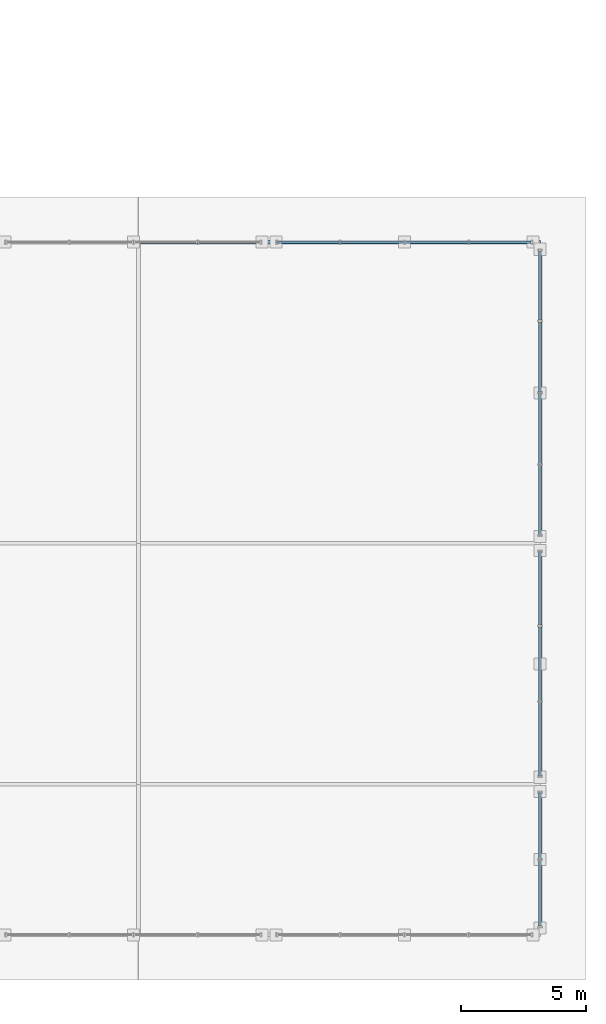
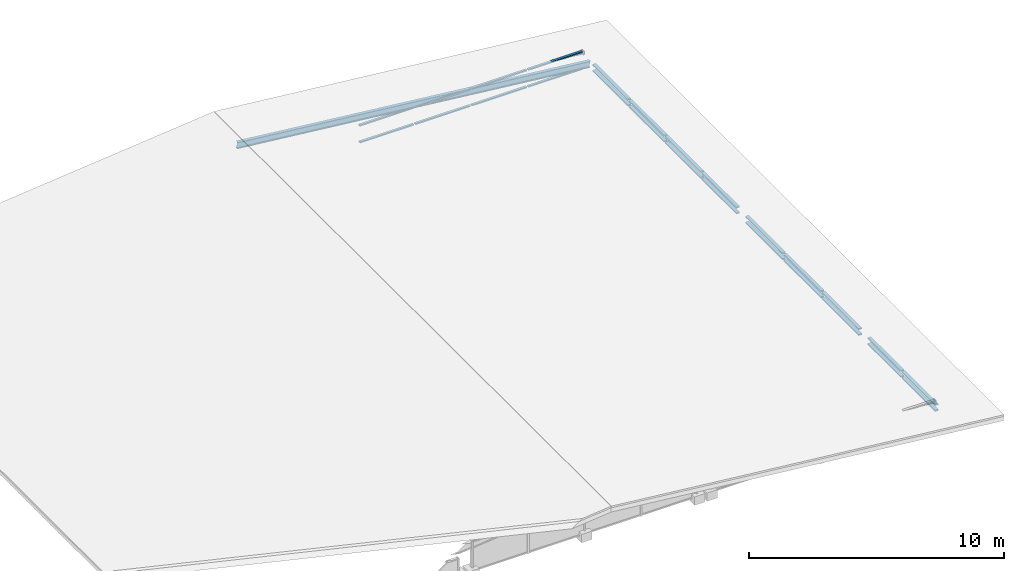
# One storey, part 49 of 117: 27 members, 4 elements without a shape of their own.
"""IFC4 building model written with IfcOpenShell, lengths in metres."""

from ifc_helpers import new_model, si_unit, direction, frame, origin, origin_2d, place, context, subcontext, project, spatial, hollow_rectangle, i_section, extrude, material, material_profile, profile_set, type_object, element, aggregate, save


model = new_model("IFC4")

# Units and contexts
model_context = context("Model", 3, precision=1e-05, world=origin(), true_north=direction((0.0, 1.0)))
body_context = subcontext(model_context, "Body", "Model", "MODEL_VIEW")
ifc_project = project(units=[si_unit("LENGTHUNIT", "METRE"), si_unit("AREAUNIT", "SQUARE_METRE"), si_unit("VOLUMEUNIT", "CUBIC_METRE"), si_unit("PLANEANGLEUNIT", "RADIAN"), si_unit("MASSUNIT", "GRAM", prefix="KILO")], contexts=[model_context])

# Site, building, storey
site_placement = place(None, origin())
site = spatial("IfcSite", under=ifc_project, at=site_placement, CompositionType="ELEMENT")
building_placement = place(site_placement, origin())
building = spatial("IfcBuilding", under=site, at=building_placement, Name="Merenkruunu Market Hall", CompositionType="ELEMENT")
storey_placement = place(building_placement, frame((0.0, 0.0, 22.800048828125)))
storey = spatial("IfcBuildingStorey", under=building, at=storey_placement, Name="RF", CompositionType="ELEMENT", Elevation=22.800048828125)

# Curtain wall, members
ifc_material_1 = material(Name="Powder-coated aluminium", Category="aluminium")
curtain_wall_type_1 = type_object("IfcCurtainWallType", Name="Clerestory Curtain Band CL03", PredefinedType="USERDEFINED", material=ifc_material_1)
curtain_wall_1_placement = place(storey_placement, origin())
curtain_wall_1 = element("IfcCurtainWall", 1, at=curtain_wall_1_placement, inside=storey, type_object=curtain_wall_type_1, Name="CW-RF-CWM04-247", ObjectType="CLERESTORY_BAND", PredefinedType="USERDEFINED")
ifc_material_profile_1 = material_profile(ifc_material_1, hollow_rectangle(XDim=0.06005859375, YDim=0.110107421875, WallThickness=0.00390625, at=origin_2d()), Name="ALU 60x110x4")
ifc_profile_set_1 = profile_set([ifc_material_profile_1], Name="Powder-coated aluminium")
member_type_1 = type_object("IfcMemberType", Name="Curtain Wall Transom CWT03", PredefinedType="USERDEFINED", material=ifc_profile_set_1)
member_1_placement = place(storey_placement, frame((181.550048828125, 27.60009765625, -1.68994140625), z_axis=(1.0, 0.0, 0.0), x_axis=(0.0, 0.0, 1.0)))
member_1 = element("IfcMember", 2, at=member_1_placement, type_object=member_type_1, Name="CL03 transom 1.1", ObjectType="TRANSOM", PredefinedType="USERDEFINED", context=body_context, shape_type="SweptSolid", body=[
    extrude(hollow_rectangle(XDim=0.06005859375, YDim=0.110107421875, WallThickness=0.00390625, at=origin_2d()), origin(), (0.0, 0.0, 1.0), 2.454833984375),
])
member_2_placement = place(storey_placement, frame((181.550048828125, 27.60009765625, -0.880126953125), z_axis=(1.0, 0.0, 0.0), x_axis=(0.0, 0.0, 1.0)))
member_2 = element("IfcMember", 3, at=member_2_placement, type_object=member_type_1, Name="CL03 transom 1.2", ObjectType="TRANSOM", PredefinedType="USERDEFINED", context=body_context, shape_type="SweptSolid", body=[
    extrude(hollow_rectangle(XDim=0.06005859375, YDim=0.110107421875, WallThickness=0.00390625, at=origin_2d()), origin(), (0.0, 0.0, 1.0), 2.454833984375),
])
member_3_placement = place(storey_placement, frame((184.074951171875, 27.60009765625, -1.68994140625), z_axis=(1.0, 0.0, 0.0), x_axis=(0.0, 0.0, 1.0)))
member_3 = element("IfcMember", 4, at=member_3_placement, type_object=member_type_1, Name="CL03 transom 2.1", ObjectType="TRANSOM", PredefinedType="USERDEFINED", context=body_context, shape_type="SweptSolid", body=[
    extrude(hollow_rectangle(XDim=0.06005859375, YDim=0.110107421875, WallThickness=0.00390625, at=origin_2d()), origin(), (0.0, 0.0, 1.0), 2.489990234375),
])
member_4_placement = place(storey_placement, frame((184.074951171875, 27.60009765625, -0.880126953125), z_axis=(1.0, 0.0, 0.0), x_axis=(0.0, 0.0, 1.0)))
member_4 = element("IfcMember", 5, at=member_4_placement, type_object=member_type_1, Name="CL03 transom 2.2", ObjectType="TRANSOM", PredefinedType="USERDEFINED", context=body_context, shape_type="SweptSolid", body=[
    extrude(hollow_rectangle(XDim=0.06005859375, YDim=0.110107421875, WallThickness=0.00390625, at=origin_2d()), origin(), (0.0, 0.0, 1.0), 2.489990234375),
])
member_5_placement = place(storey_placement, frame((186.635009765625, 27.60009765625, -1.68994140625), z_axis=(1.0, 0.0, 0.0), x_axis=(0.0, 0.0, 1.0)))
member_5 = element("IfcMember", 6, at=member_5_placement, type_object=member_type_1, Name="CL03 transom 3.1", ObjectType="TRANSOM", PredefinedType="USERDEFINED", context=body_context, shape_type="SweptSolid", body=[
    extrude(hollow_rectangle(XDim=0.06005859375, YDim=0.110107421875, WallThickness=0.00390625, at=origin_2d()), origin(), (0.0, 0.0, 1.0), 2.489990234375),
])
member_6_placement = place(storey_placement, frame((186.635009765625, 27.60009765625, -0.880126953125), z_axis=(1.0, 0.0, 0.0), x_axis=(0.0, 0.0, 1.0)))
member_6 = element("IfcMember", 7, at=member_6_placement, type_object=member_type_1, Name="CL03 transom 3.2", ObjectType="TRANSOM", PredefinedType="USERDEFINED", context=body_context, shape_type="SweptSolid", body=[
    extrude(hollow_rectangle(XDim=0.06005859375, YDim=0.110107421875, WallThickness=0.00390625, at=origin_2d()), origin(), (0.0, 0.0, 1.0), 2.489990234375),
])
member_7_placement = place(storey_placement, frame((189.195068359375, 27.60009765625, -1.68994140625), z_axis=(1.0, 0.0, 0.0), x_axis=(0.0, 0.0, 1.0)))
member_7 = element("IfcMember", 8, at=member_7_placement, type_object=member_type_1, Name="CL03 transom 4.1", ObjectType="TRANSOM", PredefinedType="USERDEFINED", context=body_context, shape_type="SweptSolid", body=[
    extrude(hollow_rectangle(XDim=0.06005859375, YDim=0.110107421875, WallThickness=0.00390625, at=origin_2d()), origin(), (0.0, 0.0, 1.0), 2.454833984375),
])
member_8_placement = place(storey_placement, frame((189.195068359375, 27.60009765625, -0.880126953125), z_axis=(1.0, 0.0, 0.0), x_axis=(0.0, 0.0, 1.0)))
member_8 = element("IfcMember", 9, at=member_8_placement, type_object=member_type_1, Name="CL03 transom 4.2", ObjectType="TRANSOM", PredefinedType="USERDEFINED", context=body_context, shape_type="SweptSolid", body=[
    extrude(hollow_rectangle(XDim=0.06005859375, YDim=0.110107421875, WallThickness=0.00390625, at=origin_2d()), origin(), (0.0, 0.0, 1.0), 2.454833984375),
])
aggregate(curtain_wall_1, [member_1, member_2, member_3, member_4, member_5, member_6, member_7, member_8])

curtain_wall_type_2 = type_object("IfcCurtainWallType", Name="Clerestory Curtain Band CL04", PredefinedType="USERDEFINED", material=ifc_material_1)
curtain_wall_2_placement = place(storey_placement, origin())
curtain_wall_2 = element("IfcCurtainWall", 10, at=curtain_wall_2_placement, inside=storey, type_object=curtain_wall_type_2, Name="CW-RF-CWM04-237", ObjectType="CLERESTORY_BAND", PredefinedType="USERDEFINED")
ifc_material_profile_2 = material_profile(ifc_material_1, hollow_rectangle(XDim=0.06005859375, YDim=0.14990234375, WallThickness=0.00390625, at=origin_2d()), Name="ALU 60x150x4")
ifc_profile_set_2 = profile_set([ifc_material_profile_2], Name="Powder-coated aluminium")
member_type_2 = type_object("IfcMemberType", Name="Curtain Wall Transom CWT04", PredefinedType="USERDEFINED", material=ifc_profile_set_2)
member_9_placement = place(storey_placement, frame((192.0, 5.64990234375, -1.68994140625), z_axis=(0.0, -1.0, 0.0), x_axis=(0.0, 0.0, 1.0)))
member_9 = element("IfcMember", 11, at=member_9_placement, type_object=member_type_2, Name="CL04 transom 1.1", ObjectType="TRANSOM", PredefinedType="USERDEFINED", context=body_context, shape_type="SweptSolid", body=[
    extrude(hollow_rectangle(XDim=0.06005859375, YDim=0.14990234375, WallThickness=0.00390625, at=origin_2d()), origin(), (0.0, 0.0, 1.0), 2.614990234375),
])
member_10_placement = place(storey_placement, frame((192.0, 5.64990234375, -1.41015625), z_axis=(0.0, -1.0, 0.0), x_axis=(0.0, 0.0, 1.0)))
member_10 = element("IfcMember", 12, at=member_10_placement, type_object=member_type_2, Name="CL04 transom 1.2", ObjectType="TRANSOM", PredefinedType="USERDEFINED", context=body_context, shape_type="SweptSolid", body=[
    extrude(hollow_rectangle(XDim=0.06005859375, YDim=0.14990234375, WallThickness=0.00390625, at=origin_2d()), origin(), (0.0, 0.0, 1.0), 2.614990234375),
])
member_11_placement = place(storey_placement, frame((192.0, 2.965087890625, -1.68994140625), z_axis=(0.0, -1.0, 0.0), x_axis=(0.0, 0.0, 1.0)))
member_11 = element("IfcMember", 13, at=member_11_placement, type_object=member_type_2, Name="CL04 transom 2.1", ObjectType="TRANSOM", PredefinedType="USERDEFINED", context=body_context, shape_type="SweptSolid", body=[
    extrude(hollow_rectangle(XDim=0.06005859375, YDim=0.14990234375, WallThickness=0.00390625, at=origin_2d()), origin(), (0.0, 0.0, 1.0), 2.614990234375),
])
member_12_placement = place(storey_placement, frame((192.0, 2.965087890625, -1.41015625), z_axis=(0.0, -1.0, 0.0), x_axis=(0.0, 0.0, 1.0)))
member_12 = element("IfcMember", 14, at=member_12_placement, type_object=member_type_2, Name="CL04 transom 2.2", ObjectType="TRANSOM", PredefinedType="USERDEFINED", context=body_context, shape_type="SweptSolid", body=[
    extrude(hollow_rectangle(XDim=0.06005859375, YDim=0.14990234375, WallThickness=0.00390625, at=origin_2d()), origin(), (0.0, 0.0, 1.0), 2.614990234375),
])
aggregate(curtain_wall_2, [member_9, member_10, member_11, member_12])

curtain_wall_3_placement = place(storey_placement, origin())
curtain_wall_3 = element("IfcCurtainWall", 15, at=curtain_wall_3_placement, inside=storey, type_object=curtain_wall_type_2, Name="CW-RF-CWM04-239", ObjectType="CLERESTORY_BAND", PredefinedType="USERDEFINED")
member_13_placement = place(storey_placement, frame((192.0, 15.25, -1.68994140625), z_axis=(0.0, -1.0, 0.0), x_axis=(0.0, 0.0, 1.0)))
member_13 = element("IfcMember", 16, at=member_13_placement, type_object=member_type_2, Name="CL04 transom 1.1", ObjectType="TRANSOM", PredefinedType="USERDEFINED", context=body_context, shape_type="SweptSolid", body=[
    extrude(hollow_rectangle(XDim=0.06005859375, YDim=0.14990234375, WallThickness=0.00390625, at=origin_2d()), origin(), (0.0, 0.0, 1.0), 2.908447265625),
])
member_14_placement = place(storey_placement, frame((192.0, 15.25, -1.41015625), z_axis=(0.0, -1.0, 0.0), x_axis=(0.0, 0.0, 1.0)))
member_14 = element("IfcMember", 17, at=member_14_placement, type_object=member_type_2, Name="CL04 transom 1.2", ObjectType="TRANSOM", PredefinedType="USERDEFINED", context=body_context, shape_type="SweptSolid", body=[
    extrude(hollow_rectangle(XDim=0.06005859375, YDim=0.14990234375, WallThickness=0.00390625, at=origin_2d()), origin(), (0.0, 0.0, 1.0), 2.908447265625),
])
member_15_placement = place(storey_placement, frame((192.0, 12.271728515625, -1.68994140625), z_axis=(0.0, -1.0, 0.0), x_axis=(0.0, 0.0, 1.0)))
member_15 = element("IfcMember", 18, at=member_15_placement, type_object=member_type_2, Name="CL04 transom 2.1", ObjectType="TRANSOM", PredefinedType="USERDEFINED", context=body_context, shape_type="SweptSolid", body=[
    extrude(hollow_rectangle(XDim=0.06005859375, YDim=0.14990234375, WallThickness=0.00390625, at=origin_2d()), origin(), (0.0, 0.0, 1.0), 2.943359375),
])
member_16_placement = place(storey_placement, frame((192.0, 12.271728515625, -1.41015625), z_axis=(0.0, -1.0, 0.0), x_axis=(0.0, 0.0, 1.0)))
member_16 = element("IfcMember", 19, at=member_16_placement, type_object=member_type_2, Name="CL04 transom 2.2", ObjectType="TRANSOM", PredefinedType="USERDEFINED", context=body_context, shape_type="SweptSolid", body=[
    extrude(hollow_rectangle(XDim=0.06005859375, YDim=0.14990234375, WallThickness=0.00390625, at=origin_2d()), origin(), (0.0, 0.0, 1.0), 2.943359375),
])
member_17_placement = place(storey_placement, frame((192.0, 9.25830078125, -1.68994140625), z_axis=(0.0, -1.0, 0.0), x_axis=(0.0, 0.0, 1.0)))
member_17 = element("IfcMember", 20, at=member_17_placement, type_object=member_type_2, Name="CL04 transom 3.1", ObjectType="TRANSOM", PredefinedType="USERDEFINED", context=body_context, shape_type="SweptSolid", body=[
    extrude(hollow_rectangle(XDim=0.06005859375, YDim=0.14990234375, WallThickness=0.00390625, at=origin_2d()), origin(), (0.0, 0.0, 1.0), 2.908203125),
])
member_18_placement = place(storey_placement, frame((192.0, 9.25830078125, -1.41015625), z_axis=(0.0, -1.0, 0.0), x_axis=(0.0, 0.0, 1.0)))
member_18 = element("IfcMember", 21, at=member_18_placement, type_object=member_type_2, Name="CL04 transom 3.2", ObjectType="TRANSOM", PredefinedType="USERDEFINED", context=body_context, shape_type="SweptSolid", body=[
    extrude(hollow_rectangle(XDim=0.06005859375, YDim=0.14990234375, WallThickness=0.00390625, at=origin_2d()), origin(), (0.0, 0.0, 1.0), 2.908203125),
])
aggregate(curtain_wall_3, [member_13, member_14, member_15, member_16, member_17, member_18])

curtain_wall_4_placement = place(storey_placement, origin())
curtain_wall_4 = element("IfcCurtainWall", 22, at=curtain_wall_4_placement, inside=storey, type_object=curtain_wall_type_2, Name="CW-RF-CWM04-241", ObjectType="CLERESTORY_BAND", PredefinedType="USERDEFINED")
member_19_placement = place(storey_placement, frame((192.0, 27.25, -1.68994140625), z_axis=(0.0, -1.0, 0.0), x_axis=(0.0, 0.0, 1.0)))
member_19 = element("IfcMember", 23, at=member_19_placement, type_object=member_type_2, Name="CL04 transom 1.1", ObjectType="TRANSOM", PredefinedType="USERDEFINED", context=body_context, shape_type="SweptSolid", body=[
    extrude(hollow_rectangle(XDim=0.06005859375, YDim=0.14990234375, WallThickness=0.00390625, at=origin_2d()), origin(), (0.0, 0.0, 1.0), 2.7548828125),
])
member_20_placement = place(storey_placement, frame((192.0, 27.25, -1.41015625), z_axis=(0.0, -1.0, 0.0), x_axis=(0.0, 0.0, 1.0)))
member_20 = element("IfcMember", 24, at=member_20_placement, type_object=member_type_2, Name="CL04 transom 1.2", ObjectType="TRANSOM", PredefinedType="USERDEFINED", context=body_context, shape_type="SweptSolid", body=[
    extrude(hollow_rectangle(XDim=0.06005859375, YDim=0.14990234375, WallThickness=0.00390625, at=origin_2d()), origin(), (0.0, 0.0, 1.0), 2.7548828125),
])
member_21_placement = place(storey_placement, frame((192.0, 24.425048828125, -1.68994140625), z_axis=(0.0, -1.0, 0.0), x_axis=(0.0, 0.0, 1.0)))
member_21 = element("IfcMember", 25, at=member_21_placement, type_object=member_type_2, Name="CL04 transom 2.1", ObjectType="TRANSOM", PredefinedType="USERDEFINED", context=body_context, shape_type="SweptSolid", body=[
    extrude(hollow_rectangle(XDim=0.06005859375, YDim=0.14990234375, WallThickness=0.00390625, at=origin_2d()), origin(), (0.0, 0.0, 1.0), 2.7900390625),
])
member_22_placement = place(storey_placement, frame((192.0, 24.425048828125, -1.41015625), z_axis=(0.0, -1.0, 0.0), x_axis=(0.0, 0.0, 1.0)))
member_22 = element("IfcMember", 26, at=member_22_placement, type_object=member_type_2, Name="CL04 transom 2.2", ObjectType="TRANSOM", PredefinedType="USERDEFINED", context=body_context, shape_type="SweptSolid", body=[
    extrude(hollow_rectangle(XDim=0.06005859375, YDim=0.14990234375, WallThickness=0.00390625, at=origin_2d()), origin(), (0.0, 0.0, 1.0), 2.7900390625),
])
member_23_placement = place(storey_placement, frame((192.0, 21.56494140625, -1.68994140625), z_axis=(0.0, -1.0, 0.0), x_axis=(0.0, 0.0, 1.0)))
member_23 = element("IfcMember", 27, at=member_23_placement, type_object=member_type_2, Name="CL04 transom 3.1", ObjectType="TRANSOM", PredefinedType="USERDEFINED", context=body_context, shape_type="SweptSolid", body=[
    extrude(hollow_rectangle(XDim=0.06005859375, YDim=0.14990234375, WallThickness=0.00390625, at=origin_2d()), origin(), (0.0, 0.0, 1.0), 2.7900390625),
])
member_24_placement = place(storey_placement, frame((192.0, 21.56494140625, -1.41015625), z_axis=(0.0, -1.0, 0.0), x_axis=(0.0, 0.0, 1.0)))
member_24 = element("IfcMember", 28, at=member_24_placement, type_object=member_type_2, Name="CL04 transom 3.2", ObjectType="TRANSOM", PredefinedType="USERDEFINED", context=body_context, shape_type="SweptSolid", body=[
    extrude(hollow_rectangle(XDim=0.06005859375, YDim=0.14990234375, WallThickness=0.00390625, at=origin_2d()), origin(), (0.0, 0.0, 1.0), 2.7900390625),
])
member_25_placement = place(storey_placement, frame((192.0, 18.705078125, -1.68994140625), z_axis=(0.0, -1.0, 0.0), x_axis=(0.0, 0.0, 1.0)))
member_25 = element("IfcMember", 29, at=member_25_placement, type_object=member_type_2, Name="CL04 transom 4.1", ObjectType="TRANSOM", PredefinedType="USERDEFINED", context=body_context, shape_type="SweptSolid", body=[
    extrude(hollow_rectangle(XDim=0.06005859375, YDim=0.14990234375, WallThickness=0.00390625, at=origin_2d()), origin(), (0.0, 0.0, 1.0), 2.755126953125),
])
member_26_placement = place(storey_placement, frame((192.0, 18.705078125, -1.41015625), z_axis=(0.0, -1.0, 0.0), x_axis=(0.0, 0.0, 1.0)))
member_26 = element("IfcMember", 30, at=member_26_placement, type_object=member_type_2, Name="CL04 transom 4.2", ObjectType="TRANSOM", PredefinedType="USERDEFINED", context=body_context, shape_type="SweptSolid", body=[
    extrude(hollow_rectangle(XDim=0.06005859375, YDim=0.14990234375, WallThickness=0.00390625, at=origin_2d()), origin(), (0.0, 0.0, 1.0), 2.755126953125),
])
aggregate(curtain_wall_4, [member_19, member_20, member_21, member_22, member_23, member_24, member_25, member_26])

# Member
ifc_material_2 = material(Name="Steel S355ML", Category="steel")
ifc_material_profile_3 = material_profile(ifc_material_2, i_section(OverallWidth=0.14990234375, OverallDepth=0.300048828125, WebThickness=0.007080078125, FlangeThickness=0.0107421875, FilletRadius=0.014892578125, at=origin_2d()), Name="IPE 300")
ifc_profile_set_3 = profile_set([ifc_material_profile_3], Name="Steel S355ML")
member_type_3 = type_object("IfcMemberType", Name="Roof Purlin Rafter PR01", PredefinedType="PURLIN", material=ifc_profile_set_3)
member_27_placement = place(storey_placement, frame((176.0, 27.60009765625, 0.119873046875), z_axis=(0.994403133479, 0.0, -0.105652298255), x_axis=(0.0, 1.0, 0.0)))
element("IfcMember", 31, at=member_27_placement, inside=storey, type_object=member_type_3, Name="MEM-V3-RFE-28", PredefinedType="PURLIN", context=body_context, shape_type="SweptSolid", body=[
    extrude(i_section(OverallWidth=0.14990234375, OverallDepth=0.300048828125, WebThickness=0.007080078125, FlangeThickness=0.0107421875, FilletRadius=0.014892578125, at=origin_2d()), origin(), (0.0, 0.0, 1.0), 16.090087890625),
])

save(model, "model.ifc")
